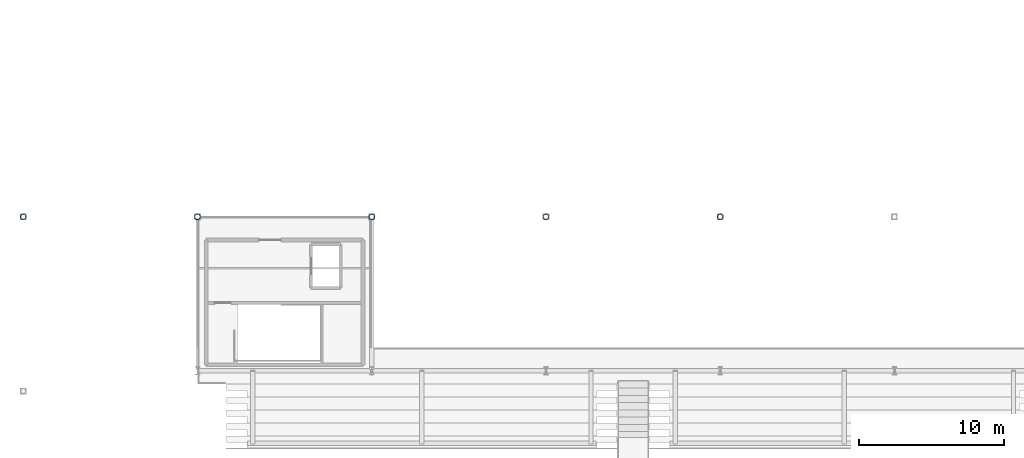
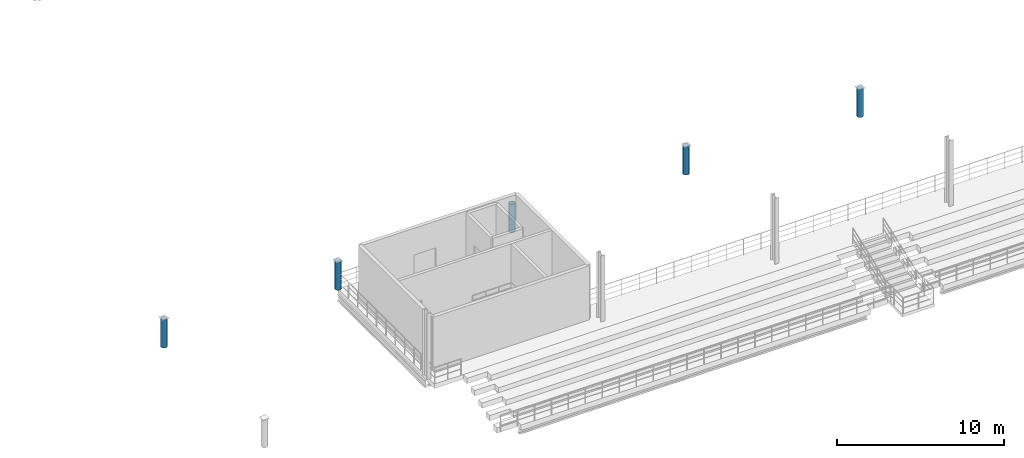
# One storey, part 9 of 52: 5 columns.
"""IFC4 building model written with IfcOpenShell, lengths in metres."""

from ifc_helpers import new_model, si_unit, direction, frame, origin, origin_2d, place, context, subcontext, project, spatial, hollow_circle, extrude, material, material_profile, profile_set, type_object, element, save


model = new_model("IFC4")

# Units and contexts
model_context = context("Model", 3, precision=1e-05, world=origin(), true_north=direction((0.0, 1.0)))
body_context = subcontext(model_context, "Body", "Model", "MODEL_VIEW")
ifc_project = project(units=[si_unit("LENGTHUNIT", "METRE"), si_unit("AREAUNIT", "SQUARE_METRE"), si_unit("VOLUMEUNIT", "CUBIC_METRE"), si_unit("PLANEANGLEUNIT", "RADIAN"), si_unit("MASSUNIT", "GRAM", prefix="KILO"), si_unit("THERMODYNAMICTEMPERATUREUNIT", "KELVIN"), si_unit("POWERUNIT", "WATT")], contexts=[model_context])

# Site, building, storey
site_placement = place(None, origin())
site = spatial("IfcSite", under=ifc_project, at=site_placement, CompositionType="ELEMENT")
building_placement = place(site_placement, origin())
building = spatial("IfcBuilding", under=site, at=building_placement, Name="Solmara Park Aquatics Centre", CompositionType="ELEMENT")
storey_placement = place(building_placement, frame((0.0, 0.0, 9.60009765625)))
storey = spatial("IfcBuildingStorey", under=building, at=storey_placement, Name="L02", CompositionType="ELEMENT", Elevation=9.60009765625)

# Columns
ifc_material = material(Name="Structural Steel S355", Category="steel")
ifc_material_profile = material_profile(ifc_material, hollow_circle(Radius=0.203125, WallThickness=0.01611328125, at=origin_2d()), Name="CHS 406.4x16")
ifc_profile_set = profile_set([ifc_material_profile], Name="Structural Steel S355")
column_type = type_object("IfcColumnType", Name="STR-COL-CHS406", PredefinedType="COLUMN", material=ifc_profile_set)
for number, where, z_axis, x_axis, name in (
    (1, (12.60009765625, 72.60009765625, 0.0), (0.0, 0.0, 1.0), (1.0, 0.0, 0.0), "Column L02-0466"),
    (2, (24.60009765625, 72.60009765625, 0.0), (0.0, 0.0, 1.0), (1.0, 0.0, 0.0), "Column L02-0470"),
    (3, (36.60009765625, 72.60009765625, 0.0), (0.0, 0.0, 1.0), (1.0, 0.0, 0.0), "Column L02-0478"),
    (4, (48.60009765625, 72.60009765625, 0.0), (0.0, 0.0, 1.0), (1.0, 0.0, 0.0), "Column L02-0486"),
    (5, (60.60009765625, 72.60009765625, 0.0), (0.0, 0.0, 1.0), (1.0, 0.0, 0.0), "Column L02-0494"),
):
    element("IfcColumn", number, at=place(storey_placement, frame(where, z_axis=z_axis, x_axis=x_axis)), inside=storey, type_object=column_type, Name=name, PredefinedType="COLUMN", context=body_context, shape_type="SweptSolid", body=[
        extrude(hollow_circle(Radius=0.203125, WallThickness=0.01611328125, at=origin_2d()), origin(), (0.0, 0.0, 1.0), 2.059814453125),
    ])

save(model, "model.ifc")
